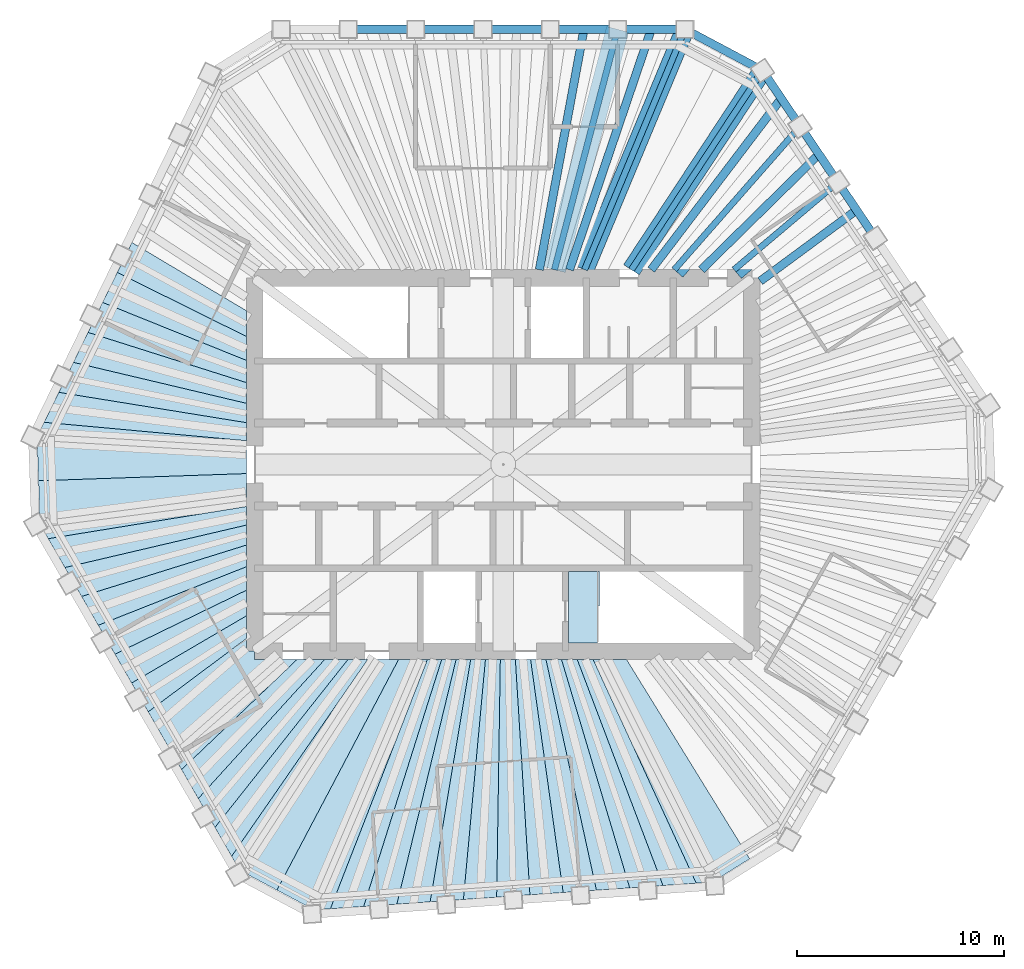
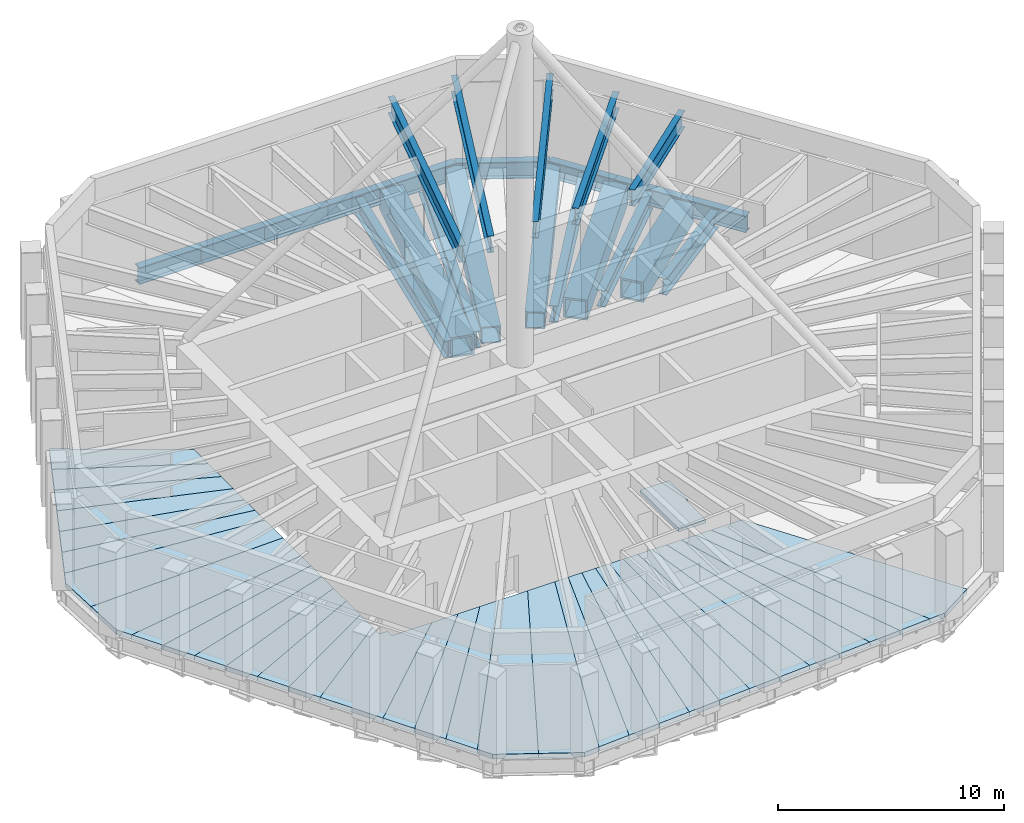
# One storey, part 3 of 9: 33 slabs, 24 beams.
"""IFC4 building model written with IfcOpenShell, lengths in metres."""

from ifc_helpers import new_model, si_unit, direction, frame, origin, origin_2d, place, context, subcontext, project, spatial, polyline, hollow_rectangle, i_section, outline, extrude, material, layer, layer_set, material_profile, profile_set, type_object, element, save


model = new_model("IFC4")

# Units and contexts
model_context = context("Model", 3, precision=1e-05, world=origin(), true_north=direction((0.0, 1.0)))
body_context = subcontext(model_context, "Body", "Model", "MODEL_VIEW")
ifc_project = project(units=[si_unit("LENGTHUNIT", "METRE"), si_unit("AREAUNIT", "SQUARE_METRE"), si_unit("VOLUMEUNIT", "CUBIC_METRE"), si_unit("PLANEANGLEUNIT", "RADIAN"), si_unit("MASSUNIT", "GRAM", prefix="KILO")], contexts=[model_context])

# Site, building, storey
site_placement = place(None, origin())
site = spatial("IfcSite", under=ifc_project, at=site_placement, CompositionType="ELEMENT")
building_placement = place(site_placement, origin())
building = spatial("IfcBuilding", under=site, at=building_placement, Name="Qingtian Harvest Tower", CompositionType="ELEMENT")
storey_placement = place(building_placement, frame((0.0, 0.0, 343.60009765625)))
storey = spatial("IfcBuildingStorey", under=building, at=storey_placement, Name="L76", CompositionType="ELEMENT", Elevation=343.60009765625)

# Beams
ifc_material_1 = material(Name="Steel SN490B", Category="steel")
ifc_material_profile_1 = material_profile(ifc_material_1, i_section(OverallWidth=0.39990234375, OverallDepth=0.89990234375, WebThickness=0.01904296875, FlangeThickness=0.035888671875, at=origin_2d()), Name="H900x400x19x36")
ifc_profile_set_1 = profile_set([ifc_material_profile_1], Name="Steel SN490B")
beam_type_1 = type_object("IfcBeamType", Name="Floor joist J4 H900x400x19x36", PredefinedType="JOIST", material=ifc_profile_set_1)
beam_1_placement = place(storey_placement, frame((3.893798828125, 21.0, -0.7001953125), z_axis=(-0.182311561934, -0.983240812001, 0.0), x_axis=(0.983240812001, -0.182311561934, 0.0)))
element("IfcBeam", 1, at=beam_1_placement, inside=storey, type_object=beam_type_1, Name="Floor joist J4 N4", PredefinedType="JOIST", context=body_context, shape_type="SweptSolid", body=[
    extrude(i_section(OverallWidth=0.39990234375, OverallDepth=0.89990234375, WebThickness=0.01904296875, FlangeThickness=0.035888671875, at=origin_2d()), origin(), (0.0, 0.0, 1.0), 11.7978515625),
])
beam_2_placement = place(storey_placement, frame((7.141845703125, 21.0, -0.7001953125), z_axis=(-0.321978462512, -0.946746993488, 0.0), x_axis=(0.946746993488, -0.321978462512, 0.0)))
element("IfcBeam", 2, at=beam_2_placement, inside=storey, type_object=beam_type_1, Name="Floor joist J4 N5", PredefinedType="JOIST", context=body_context, shape_type="SweptSolid", body=[
    extrude(i_section(OverallWidth=0.39990234375, OverallDepth=0.89990234375, WebThickness=0.01904296875, FlangeThickness=0.035888671875, at=origin_2d()), origin(), (0.0, 0.0, 1.0), 12.252685546875),
])
beam_3_placement = place(storey_placement, frame((13.416015625, 17.6640625, -0.7001953125), z_axis=(-0.604829724016, -0.796354823522, 0.0), x_axis=(0.796354823522, -0.604829724016, 0.0)))
element("IfcBeam", 3, at=beam_3_placement, inside=storey, type_object=beam_type_1, Name="Floor joist J4 NE0", PredefinedType="JOIST", context=body_context, shape_type="SweptSolid", body=[
    extrude(i_section(OverallWidth=0.39990234375, OverallDepth=0.89990234375, WebThickness=0.01904296875, FlangeThickness=0.035888671875, at=origin_2d()), origin(), (0.0, 0.0, 1.0), 10.37744140625),
])
beam_4_placement = place(storey_placement, frame((15.232421875, 14.97119140625, -0.7001953125), z_axis=(-0.713193091885, -0.700967626704, 0.0), x_axis=(0.700967626704, -0.713193091885, 0.0)))
element("IfcBeam", 4, at=beam_4_placement, inside=storey, type_object=beam_type_1, Name="Floor joist J4 NE1", PredefinedType="JOIST", context=body_context, shape_type="SweptSolid", body=[
    extrude(i_section(OverallWidth=0.39990234375, OverallDepth=0.89990234375, WebThickness=0.01904296875, FlangeThickness=0.035888671875, at=origin_2d()), origin(), (0.0, 0.0, 1.0), 7.947998046875),
])
beam_5_placement = place(storey_placement, frame((17.048583984375, 12.278564453125, -0.7001953125), z_axis=(-0.804797608796, -0.59354933146, 0.0), x_axis=(0.59354933146, -0.804797608796, 0.0)))
element("IfcBeam", 5, at=beam_5_placement, inside=storey, type_object=beam_type_1, Name="Floor joist J4 NE2", PredefinedType="JOIST", context=body_context, shape_type="SweptSolid", body=[
    extrude(i_section(OverallWidth=0.39990234375, OverallDepth=0.89990234375, WebThickness=0.01904296875, FlangeThickness=0.035888671875, at=origin_2d()), origin(), (0.0, 0.0, 1.0), 5.776123046875),
])
ifc_material_2 = material(Name="Steel SM570MC", Category="steel")
ifc_material_profile_2 = material_profile(ifc_material_2, hollow_rectangle(XDim=0.89990234375, YDim=0.89990234375, WallThickness=0.06005859375, at=origin_2d()), Name="BOX900x900x60")
ifc_profile_set_2 = profile_set([ifc_material_profile_2], Name="Steel SM570MC")
beam_type_2 = type_object("IfcBeamType", Name="Outrigger chord beam OC1 BOX900x900x60", PredefinedType="BEAM", material=ifc_profile_set_2)
beam_6_placement = place(storey_placement, frame((8.765869140625, 21.0, -0.7001953125), z_axis=(-0.385202803059, -0.922831945977, 0.0), x_axis=(0.922831945977, -0.385202803059, 0.0)))
element("IfcBeam", 6, at=beam_6_placement, inside=storey, type_object=beam_type_2, Name="Floor beam OC1 N6", PredefinedType="BEAM", context=body_context, shape_type="SweptSolid", body=[
    extrude(hollow_rectangle(XDim=0.89990234375, YDim=0.89990234375, WallThickness=0.06005859375, at=origin_2d()), origin(), (0.0, 0.0, 1.0), 12.570068359375),
])
beam_7_placement = place(storey_placement, frame((12.508056640625, 19.01025390625, -0.7001953125), z_axis=(-0.549655478371, -0.835391438247, 0.0), x_axis=(0.835391438247, -0.549655478371, 0.0)))
element("IfcBeam", 7, at=beam_7_placement, inside=storey, type_object=beam_type_2, Name="Floor beam OC1 NE0", PredefinedType="BEAM", context=body_context, shape_type="SweptSolid", body=[
    extrude(hollow_rectangle(XDim=0.89990234375, YDim=0.89990234375, WallThickness=0.06005859375, at=origin_2d()), origin(), (0.0, 0.0, 1.0), 11.50390625),
])
ifc_material_3 = material(Name="Steel SN490B", Category="steel")
ifc_material_profile_3 = material_profile(ifc_material_3, i_section(OverallWidth=0.300048828125, OverallDepth=0.89990234375, WebThickness=0.01611328125, FlangeThickness=0.028076171875, at=origin_2d()), Name="H900x300x16x28")
ifc_profile_set_3 = profile_set([ifc_material_profile_3], Name="Steel SN490B")
beam_type_3 = type_object("IfcBeamType", Name="Roof beam RB1 H900x300x16x28", PredefinedType="BEAM", material=ifc_profile_set_3)
beam_8_placement = place(storey_placement, frame((5.517822265625, 21.0, 4.199951171875), z_axis=(-0.254118548412, -0.967173078282, 0.0), x_axis=(0.967173078282, -0.254118548412, 0.0)))
element("IfcBeam", 8, at=beam_8_placement, inside=storey, type_object=beam_type_3, Name="Roof beam RB1 N5", PredefinedType="BEAM", context=body_context, shape_type="SweptSolid", body=[
    extrude(i_section(OverallWidth=0.300048828125, OverallDepth=0.89990234375, WebThickness=0.01611328125, FlangeThickness=0.028076171875, at=origin_2d()), origin(), (0.0, 0.0, 1.0), 11.993896484375),
])
beam_9_placement = place(storey_placement, frame((8.765869140625, 21.0, 4.199951171875), z_axis=(-0.385202803059, -0.922831945977, 0.0), x_axis=(0.922831945977, -0.385202803059, 0.0)))
element("IfcBeam", 9, at=beam_9_placement, inside=storey, type_object=beam_type_3, Name="Roof beam RB1 N6", PredefinedType="BEAM", context=body_context, shape_type="SweptSolid", body=[
    extrude(i_section(OverallWidth=0.300048828125, OverallDepth=0.89990234375, WebThickness=0.01611328125, FlangeThickness=0.028076171875, at=origin_2d()), origin(), (0.0, 0.0, 1.0), 12.570068359375),
])
beam_10_placement = place(storey_placement, frame((12.508056640625, 19.01025390625, 4.199951171875), z_axis=(-0.549655478371, -0.835391438247, 0.0), x_axis=(0.835391438247, -0.549655478371, 0.0)))
element("IfcBeam", 10, at=beam_10_placement, inside=storey, type_object=beam_type_3, Name="Roof beam RB1 NE0", PredefinedType="BEAM", context=body_context, shape_type="SweptSolid", body=[
    extrude(i_section(OverallWidth=0.300048828125, OverallDepth=0.89990234375, WebThickness=0.01611328125, FlangeThickness=0.028076171875, at=origin_2d()), origin(), (0.0, 0.0, 1.0), 11.50390625),
])
beam_11_placement = place(storey_placement, frame((14.32421875, 16.317626953125, 4.199951171875), z_axis=(-0.659703637934, -0.751525854576, 0.0), x_axis=(0.751525854576, -0.659703637934, 0.0)))
element("IfcBeam", 11, at=beam_11_placement, inside=storey, type_object=beam_type_3, Name="Roof beam RB1 NE1", PredefinedType="BEAM", context=body_context, shape_type="SweptSolid", body=[
    extrude(i_section(OverallWidth=0.300048828125, OverallDepth=0.89990234375, WebThickness=0.01611328125, FlangeThickness=0.028076171875, at=origin_2d()), origin(), (0.0, 0.0, 1.0), 9.204833984375),
])
beam_12_placement = place(storey_placement, frame((16.140625, 13.624755859375, 4.199951171875), z_axis=(-0.764157701072, -0.645029462809, 0.0), x_axis=(0.645029462809, -0.764157701072, 0.0)))
element("IfcBeam", 12, at=beam_12_placement, inside=storey, type_object=beam_type_3, Name="Roof beam RB1 NE2", PredefinedType="BEAM", context=body_context, shape_type="SweptSolid", body=[
    extrude(i_section(OverallWidth=0.300048828125, OverallDepth=0.89990234375, WebThickness=0.01611328125, FlangeThickness=0.028076171875, at=origin_2d()), origin(), (0.0, 0.0, 1.0), 6.5498046875),
])
ifc_material_4 = material(Name="Steel SN490B", Category="steel")
ifc_material_profile_4 = material_profile(ifc_material_4, i_section(OverallWidth=0.39990234375, OverallDepth=0.89990234375, WebThickness=0.01904296875, FlangeThickness=0.035888671875, at=origin_2d()), Name="H900x400x19x36")
ifc_profile_set_4 = profile_set([ifc_material_profile_4], Name="Steel SN490B")
beam_type_4 = type_object("IfcBeamType", Name="Spandrel beam SB4 H900x400x19x36", PredefinedType="SPANDREL", material=ifc_profile_set_4)
beam_13_placement = place(storey_placement, frame((-7.47412109375, 21.0, -0.4501953125), z_axis=(1.0, 0.0, 0.0), x_axis=(0.0, 1.0, 0.0)))
element("IfcBeam", 13, at=beam_13_placement, inside=storey, type_object=beam_type_4, Name="Spandrel SB4 N1", PredefinedType="SPANDREL", context=body_context, shape_type="SweptSolid", body=[
    extrude(i_section(OverallWidth=0.39990234375, OverallDepth=0.89990234375, WebThickness=0.01904296875, FlangeThickness=0.035888671875, at=origin_2d()), origin(), (0.0, 0.0, 1.0), 3.247802734375),
])
for number, where, z_axis, x_axis, name in (
    (14, (-4.226318359375, 21.0, -0.4501953125), (1.0, 0.0, 0.0), (0.0, 1.0, 0.0), "Spandrel SB4 N2"),
    (15, (-0.978271484375, 21.0, -0.4501953125), (1.0, 0.0, 0.0), (0.0, 1.0, 0.0), "Spandrel SB4 N3"),
    (16, (2.269775390625, 21.0, -0.4501953125), (1.0, 0.0, 0.0), (0.0, 1.0, 0.0), "Spandrel SB4 N4"),
    (17, (5.517822265625, 21.0, -0.4501953125), (1.0, 0.0, 0.0), (0.0, 1.0, 0.0), "Spandrel SB4 N5"),
):
    element("IfcBeam", number, at=place(storey_placement, frame(where, z_axis=z_axis, x_axis=x_axis)), inside=storey, type_object=beam_type_4, Name=name, PredefinedType="SPANDREL", context=body_context, shape_type="SweptSolid", body=[
        extrude(i_section(OverallWidth=0.39990234375, OverallDepth=0.89990234375, WebThickness=0.01904296875, FlangeThickness=0.035888671875, at=origin_2d()), origin(), (0.0, 0.0, 1.0), 3.248046875),
    ])
beam_14_placement = place(storey_placement, frame((8.765869140625, 21.0, -0.4501953125), z_axis=(0.882948599748, -0.469469669099, 0.0), x_axis=(0.469469669099, 0.882948599748, 0.0)))
element("IfcBeam", 18, at=beam_14_placement, inside=storey, type_object=beam_type_4, Name="Spandrel SB4 NC", PredefinedType="SPANDREL", context=body_context, shape_type="SweptSolid", body=[
    extrude(i_section(OverallWidth=0.39990234375, OverallDepth=0.89990234375, WebThickness=0.01904296875, FlangeThickness=0.035888671875, at=origin_2d()), origin(), (0.0, 0.0, 1.0), 4.23828125),
])
beam_15_placement = place(storey_placement, frame((12.508056640625, 19.01025390625, -0.4501953125), z_axis=(0.559184924833, -0.829042954158, 0.0), x_axis=(0.829042954158, 0.559184924833, 0.0)))
element("IfcBeam", 19, at=beam_15_placement, inside=storey, type_object=beam_type_4, Name="Spandrel SB4 NE0", PredefinedType="SPANDREL", context=body_context, shape_type="SweptSolid", body=[
    extrude(i_section(OverallWidth=0.39990234375, OverallDepth=0.89990234375, WebThickness=0.01904296875, FlangeThickness=0.035888671875, at=origin_2d()), origin(), (0.0, 0.0, 1.0), 3.247802734375),
])
beam_16_placement = place(storey_placement, frame((14.32421875, 16.317626953125, -0.4501953125), z_axis=(0.559201740147, -0.829031612073, 0.0), x_axis=(0.829031612073, 0.559201740147, 0.0)))
element("IfcBeam", 20, at=beam_16_placement, inside=storey, type_object=beam_type_4, Name="Spandrel SB4 NE1", PredefinedType="SPANDREL", context=body_context, shape_type="SweptSolid", body=[
    extrude(i_section(OverallWidth=0.39990234375, OverallDepth=0.89990234375, WebThickness=0.01904296875, FlangeThickness=0.035888671875, at=origin_2d()), origin(), (0.0, 0.0, 1.0), 3.248291015625),
])
beam_17_placement = place(storey_placement, frame((16.140625, 13.624755859375, -0.4501953125), z_axis=(0.559184924833, -0.829042954158, 0.0), x_axis=(0.829042954158, 0.559184924833, 0.0)))
element("IfcBeam", 21, at=beam_17_placement, inside=storey, type_object=beam_type_4, Name="Spandrel SB4 NE2", PredefinedType="SPANDREL", context=body_context, shape_type="SweptSolid", body=[
    extrude(i_section(OverallWidth=0.39990234375, OverallDepth=0.89990234375, WebThickness=0.01904296875, FlangeThickness=0.035888671875, at=origin_2d()), origin(), (0.0, 0.0, 1.0), 3.247802734375),
])
ifc_material_5 = material(Name="Steel SM570MC", Category="steel")
ifc_material_profile_5 = material_profile(ifc_material_5, hollow_rectangle(XDim=1.10009765625, YDim=1.10009765625, WallThickness=0.10009765625, at=origin_2d()), Name="BOX1100x1100x100")
ifc_profile_set_5 = profile_set([ifc_material_profile_5], Name="Steel SM570MC")
beam_type_5 = type_object("IfcBeamType", Name="Transfer floor beam FB9 BOX1100x1100x100", PredefinedType="BEAM", material=ifc_profile_set_5)
beam_18_placement = place(storey_placement, frame((5.517822265625, 21.0, -0.800048828125), z_axis=(-0.254118548412, -0.967173078282, 0.0), x_axis=(0.967173078282, -0.254118548412, 0.0)))
element("IfcBeam", 22, at=beam_18_placement, inside=storey, type_object=beam_type_5, Name="Floor beam FB9 N5", PredefinedType="BEAM", context=body_context, shape_type="SweptSolid", body=[
    extrude(hollow_rectangle(XDim=1.10009765625, YDim=1.10009765625, WallThickness=0.10009765625, at=origin_2d()), origin(), (0.0, 0.0, 1.0), 11.993896484375),
])
beam_19_placement = place(storey_placement, frame((14.32421875, 16.317626953125, -0.800048828125), z_axis=(-0.659703637934, -0.751525854576, 0.0), x_axis=(0.751525854576, -0.659703637934, 0.0)))
element("IfcBeam", 23, at=beam_19_placement, inside=storey, type_object=beam_type_5, Name="Floor beam FB9 NE1", PredefinedType="BEAM", context=body_context, shape_type="SweptSolid", body=[
    extrude(hollow_rectangle(XDim=1.10009765625, YDim=1.10009765625, WallThickness=0.10009765625, at=origin_2d()), origin(), (0.0, 0.0, 1.0), 9.204833984375),
])
beam_20_placement = place(storey_placement, frame((16.140625, 13.624755859375, -0.800048828125), z_axis=(-0.764157701072, -0.645029462809, 0.0), x_axis=(0.645029462809, -0.764157701072, 0.0)))
element("IfcBeam", 24, at=beam_20_placement, inside=storey, type_object=beam_type_5, Name="Floor beam FB9 NE2", PredefinedType="BEAM", context=body_context, shape_type="SweptSolid", body=[
    extrude(hollow_rectangle(XDim=1.10009765625, YDim=1.10009765625, WallThickness=0.10009765625, at=origin_2d()), origin(), (0.0, 0.0, 1.0), 6.5498046875),
])

# Slabs
ifc_material_6 = material(Name="Concrete fc' 35 MPa", Category="concrete")
ifc_layer_1 = layer(ifc_material_6, 0.25)
ifc_layer_set_1 = layer_set([ifc_layer_1], Name="Composite floor slab FS25 250")
slab_type_1 = type_object("IfcSlabType", Name="Composite floor slab FS25 250", PredefinedType="FLOOR", material=ifc_layer_set_1)
slab_1_placement = place(storey_placement, frame((0.0, 0.0, -0.25)))
element("IfcSlab", 25, at=slab_1_placement, inside=storey, type_object=slab_type_1, Name="Floor slab L76 panel D01", PredefinedType="FLOOR", context=body_context, shape_type="SweptSolid", body=[
    extrude(outline(polyline([(-22.422607421875, -0.783203125), (-12.39990234375, -0.436767578125), (-12.39990234375, -2.028564453125), (-21.95751953125, -3.578369140625), (-22.348876953125, -2.90087890625), (-22.422607421875, -0.783203125)])), origin(), (0.0, 0.0, 1.0), 0.25),
])
slab_2_placement = place(storey_placement, frame((0.0, 0.0, -0.25)))
element("IfcSlab", 26, at=slab_2_placement, inside=storey, type_object=slab_type_1, Name="Floor slab L76 panel D02", PredefinedType="FLOOR", context=body_context, shape_type="SweptSolid", body=[
    extrude(outline(polyline([(-12.39990234375, -2.923095703125), (-21.153076171875, -4.9716796875), (-21.95751953125, -3.578369140625), (-12.39990234375, -2.028564453125), (-12.39990234375, -2.923095703125)])), origin(), (0.0, 0.0, 1.0), 0.25),
])
slab_3_placement = place(storey_placement, frame((0.0, 0.0, -0.25)))
element("IfcSlab", 27, at=slab_3_placement, inside=storey, type_object=slab_type_1, Name="Floor slab L76 panel D03", PredefinedType="FLOOR", context=body_context, shape_type="SweptSolid", body=[
    extrude(outline(polyline([(-12.39990234375, -3.888427734375), (-20.3486328125, -6.365234375), (-21.153076171875, -4.9716796875), (-12.39990234375, -2.923095703125), (-12.39990234375, -3.888427734375)])), origin(), (0.0, 0.0, 1.0), 0.25),
])
slab_4_placement = place(storey_placement, frame((0.0, 0.0, -0.25)))
element("IfcSlab", 28, at=slab_4_placement, inside=storey, type_object=slab_type_1, Name="Floor slab L76 panel D04", PredefinedType="FLOOR", context=body_context, shape_type="SweptSolid", body=[
    extrude(outline(polyline([(-12.39990234375, -4.93359375), (-19.544189453125, -7.758544921875), (-20.3486328125, -6.365234375), (-12.39990234375, -3.888427734375), (-12.39990234375, -4.93359375)])), origin(), (0.0, 0.0, 1.0), 0.25),
])
slab_5_placement = place(storey_placement, frame((0.0, 0.0, -0.25)))
element("IfcSlab", 29, at=slab_5_placement, inside=storey, type_object=slab_type_1, Name="Floor slab L76 panel D05", PredefinedType="FLOOR", context=body_context, shape_type="SweptSolid", body=[
    extrude(outline(polyline([(-12.39990234375, -6.068359375), (-18.73974609375, -9.15185546875), (-19.544189453125, -7.758544921875), (-12.39990234375, -4.93359375), (-12.39990234375, -6.068359375)])), origin(), (0.0, 0.0, 1.0), 0.25),
])
slab_6_placement = place(storey_placement, frame((0.0, 0.0, -0.25)))
element("IfcSlab", 30, at=slab_6_placement, inside=storey, type_object=slab_type_1, Name="Floor slab L76 panel D06", PredefinedType="FLOOR", context=body_context, shape_type="SweptSolid", body=[
    extrude(outline(polyline([(-12.39990234375, -7.304931640625), (-17.93505859375, -10.54541015625), (-18.73974609375, -9.15185546875), (-12.39990234375, -6.068359375), (-12.39990234375, -7.304931640625)])), origin(), (0.0, 0.0, 1.0), 0.25),
])
slab_7_placement = place(storey_placement, frame((0.0, 0.0, -0.25)))
element("IfcSlab", 31, at=slab_7_placement, inside=storey, type_object=slab_type_1, Name="Floor slab L76 panel D07", PredefinedType="FLOOR", context=body_context, shape_type="SweptSolid", body=[
    extrude(outline(polyline([(-12.39990234375, -8.400390625), (-17.134033203125, -11.932861328125), (-17.93505859375, -10.54541015625), (-12.39990234375, -7.304931640625), (-12.39990234375, -8.400390625)])), origin(), (0.0, 0.0, 1.0), 0.25),
])
slab_8_placement = place(storey_placement, frame((0.0, 0.0, -0.25)))
element("IfcSlab", 32, at=slab_8_placement, inside=storey, type_object=slab_type_1, Name="Floor slab L76 panel D09", PredefinedType="FLOOR", context=body_context, shape_type="SweptSolid", body=[
    extrude(outline(polyline([(-15.522216796875, -14.724609375), (-17.134033203125, -11.932861328125), (-12.39990234375, -8.400390625), (-12.39990234375, -9.0), (-12.0, -9.0), (-12.0, -9.39990234375), (-9.943115234375, -9.39990234375), (-15.522216796875, -14.724609375)])), origin(), (0.0, 0.0, 1.0), 0.25),
])
slab_9_placement = place(storey_placement, frame((0.0, 0.0, -0.25)))
element("IfcSlab", 33, at=slab_9_placement, inside=storey, type_object=slab_type_1, Name="Floor slab L76 panel D10", PredefinedType="FLOOR", context=body_context, shape_type="SweptSolid", body=[
    extrude(outline(polyline([(-8.609130859375, -9.39990234375), (-14.7177734375, -16.1181640625), (-15.522216796875, -14.724609375), (-9.943115234375, -9.39990234375), (-8.609130859375, -9.39990234375)])), origin(), (0.0, 0.0, 1.0), 0.25),
])
slab_10_placement = place(storey_placement, frame((0.0, 0.0, -0.25)))
element("IfcSlab", 34, at=slab_10_placement, inside=storey, type_object=slab_type_1, Name="Floor slab L76 panel D11", PredefinedType="FLOOR", context=body_context, shape_type="SweptSolid", body=[
    extrude(outline(polyline([(-7.488525390625, -9.39990234375), (-13.9130859375, -17.51171875), (-14.7177734375, -16.1181640625), (-8.609130859375, -9.39990234375), (-7.488525390625, -9.39990234375)])), origin(), (0.0, 0.0, 1.0), 0.25),
])
slab_11_placement = place(storey_placement, frame((0.0, 0.0, -0.25)))
element("IfcSlab", 35, at=slab_11_placement, inside=storey, type_object=slab_type_1, Name="Floor slab L76 panel D12", PredefinedType="FLOOR", context=body_context, shape_type="SweptSolid", body=[
    extrude(outline(polyline([(-6.533935546875, -9.39990234375), (-13.108642578125, -18.905029296875), (-13.9130859375, -17.51171875), (-7.488525390625, -9.39990234375), (-6.533935546875, -9.39990234375)])), origin(), (0.0, 0.0, 1.0), 0.25),
])
slab_12_placement = place(storey_placement, frame((0.0, 0.0, -0.25)))
element("IfcSlab", 36, at=slab_12_placement, inside=storey, type_object=slab_type_1, Name="Floor slab L76 panel D13", PredefinedType="FLOOR", context=body_context, shape_type="SweptSolid", body=[
    extrude(outline(polyline([(-6.533935546875, -9.39990234375), (-5.04638671875, -9.39990234375), (-10.921142578125, -20.537841796875), (-12.717529296875, -19.582763671875), (-13.108642578125, -18.905029296875), (-6.533935546875, -9.39990234375)])), origin(), (0.0, 0.0, 1.0), 0.25),
])
slab_13_placement = place(storey_placement, frame((0.0, 0.0, -0.25)))
element("IfcSlab", 37, at=slab_13_placement, inside=storey, type_object=slab_type_1, Name="Floor slab L76 panel D14", PredefinedType="FLOOR", context=body_context, shape_type="SweptSolid", body=[
    extrude(outline(polyline([(-5.04638671875, -9.39990234375), (-3.656982421875, -9.39990234375), (-8.343017578125, -21.439208984375), (-9.123291015625, -21.49365234375), (-10.921142578125, -20.537841796875), (-5.04638671875, -9.39990234375)])), origin(), (0.0, 0.0, 1.0), 0.25),
])
slab_14_placement = place(storey_placement, frame((0.0, 0.0, -0.25)))
element("IfcSlab", 38, at=slab_14_placement, inside=storey, type_object=slab_type_1, Name="Floor slab L76 panel D15", PredefinedType="FLOOR", context=body_context, shape_type="SweptSolid", body=[
    extrude(outline(polyline([(-2.968994140625, -9.39990234375), (-6.738037109375, -21.326904296875), (-8.343017578125, -21.439208984375), (-3.656982421875, -9.39990234375), (-2.968994140625, -9.39990234375)])), origin(), (0.0, 0.0, 1.0), 0.25),
])
slab_15_placement = place(storey_placement, frame((0.0, 0.0, -0.25)))
element("IfcSlab", 39, at=slab_15_placement, inside=storey, type_object=slab_type_1, Name="Floor slab L76 panel D16", PredefinedType="FLOOR", context=body_context, shape_type="SweptSolid", body=[
    extrude(outline(polyline([(-2.2734375, -9.39990234375), (-5.133056640625, -21.21484375), (-6.738037109375, -21.326904296875), (-2.968994140625, -9.39990234375), (-2.2734375, -9.39990234375)])), origin(), (0.0, 0.0, 1.0), 0.25),
])
slab_16_placement = place(storey_placement, frame((0.0, 0.0, -0.25)))
element("IfcSlab", 40, at=slab_16_placement, inside=storey, type_object=slab_type_1, Name="Floor slab L76 panel D17", PredefinedType="FLOOR", context=body_context, shape_type="SweptSolid", body=[
    extrude(outline(polyline([(-1.570556640625, -9.39990234375), (-3.528076171875, -21.1025390625), (-5.133056640625, -21.21484375), (-2.2734375, -9.39990234375), (-1.570556640625, -9.39990234375)])), origin(), (0.0, 0.0, 1.0), 0.25),
])
slab_17_placement = place(storey_placement, frame((0.0, 0.0, -0.25)))
element("IfcSlab", 41, at=slab_17_placement, inside=storey, type_object=slab_type_1, Name="Floor slab L76 panel D18", PredefinedType="FLOOR", context=body_context, shape_type="SweptSolid", body=[
    extrude(outline(polyline([(-0.860107421875, -9.39990234375), (-1.9228515625, -20.990234375), (-3.528076171875, -21.1025390625), (-1.570556640625, -9.39990234375), (-0.860107421875, -9.39990234375)])), origin(), (0.0, 0.0, 1.0), 0.25),
])
slab_18_placement = place(storey_placement, frame((0.0, 0.0, -0.25)))
element("IfcSlab", 42, at=slab_18_placement, inside=storey, type_object=slab_type_1, Name="Floor slab L76 panel D19", PredefinedType="FLOOR", context=body_context, shape_type="SweptSolid", body=[
    extrude(outline(polyline([(-0.14208984375, -9.39990234375), (-0.31787109375, -20.8779296875), (-1.9228515625, -20.990234375), (-0.860107421875, -9.39990234375), (-0.14208984375, -9.39990234375)])), origin(), (0.0, 0.0, 1.0), 0.25),
])
slab_19_placement = place(storey_placement, frame((0.0, 0.0, -0.25)))
element("IfcSlab", 43, at=slab_19_placement, inside=storey, type_object=slab_type_1, Name="Floor slab L76 panel D20", PredefinedType="FLOOR", context=body_context, shape_type="SweptSolid", body=[
    extrude(outline(polyline([(0.58349609375, -9.39990234375), (1.287109375, -20.765869140625), (-0.31787109375, -20.8779296875), (-0.14208984375, -9.39990234375), (0.58349609375, -9.39990234375)])), origin(), (0.0, 0.0, 1.0), 0.25),
])
slab_20_placement = place(storey_placement, frame((0.0, 0.0, -0.25)))
element("IfcSlab", 44, at=slab_20_placement, inside=storey, type_object=slab_type_1, Name="Floor slab L76 panel D21", PredefinedType="FLOOR", context=body_context, shape_type="SweptSolid", body=[
    extrude(outline(polyline([(1.3173828125, -9.39990234375), (2.89208984375, -20.653564453125), (1.287109375, -20.765869140625), (0.58349609375, -9.39990234375), (1.3173828125, -9.39990234375)])), origin(), (0.0, 0.0, 1.0), 0.25),
])
slab_21_placement = place(storey_placement, frame((0.0, 0.0, -0.25)))
element("IfcSlab", 45, at=slab_21_placement, inside=storey, type_object=slab_type_1, Name="Floor slab L76 panel D22", PredefinedType="FLOOR", context=body_context, shape_type="SweptSolid", body=[
    extrude(outline(polyline([(2.058837890625, -9.39990234375), (4.4970703125, -20.541259765625), (2.89208984375, -20.653564453125), (1.3173828125, -9.39990234375), (2.058837890625, -9.39990234375)])), origin(), (0.0, 0.0, 1.0), 0.25),
])
slab_22_placement = place(storey_placement, frame((0.0, 0.0, -0.25)))
element("IfcSlab", 46, at=slab_22_placement, inside=storey, type_object=slab_type_1, Name="Floor slab L76 panel D23", PredefinedType="FLOOR", context=body_context, shape_type="SweptSolid", body=[
    extrude(outline(polyline([(2.808837890625, -9.39990234375), (6.10205078125, -20.42919921875), (4.4970703125, -20.541259765625), (2.058837890625, -9.39990234375), (2.808837890625, -9.39990234375)])), origin(), (0.0, 0.0, 1.0), 0.25),
])
slab_23_placement = place(storey_placement, frame((0.0, 0.0, -0.25)))
element("IfcSlab", 47, at=slab_23_placement, inside=storey, type_object=slab_type_1, Name="Floor slab L76 panel D24", PredefinedType="FLOOR", context=body_context, shape_type="SweptSolid", body=[
    extrude(outline(polyline([(3.56689453125, -9.39990234375), (7.70703125, -20.31689453125), (6.10205078125, -20.42919921875), (2.808837890625, -9.39990234375), (3.56689453125, -9.39990234375)])), origin(), (0.0, 0.0, 1.0), 0.25),
])
slab_24_placement = place(storey_placement, frame((0.0, 0.0, -0.25)))
element("IfcSlab", 48, at=slab_24_placement, inside=storey, type_object=slab_type_1, Name="Floor slab L76 panel D25", PredefinedType="FLOOR", context=body_context, shape_type="SweptSolid", body=[
    extrude(outline(polyline([(4.33349609375, -9.39990234375), (9.312255859375, -20.20458984375), (7.70703125, -20.31689453125), (3.56689453125, -9.39990234375), (4.33349609375, -9.39990234375)])), origin(), (0.0, 0.0, 1.0), 0.25),
])
slab_25_placement = place(storey_placement, frame((0.0, 0.0, -0.25)))
element("IfcSlab", 49, at=slab_25_placement, inside=storey, type_object=slab_type_1, Name="Floor slab L76 panel D26", PredefinedType="FLOOR", context=body_context, shape_type="SweptSolid", body=[
    extrude(outline(polyline([(4.33349609375, -9.39990234375), (5.945556640625, -9.39990234375), (11.890380859375, -19.026611328125), (10.09228515625, -20.150146484375), (9.312255859375, -20.20458984375), (4.33349609375, -9.39990234375)])), origin(), (0.0, 0.0, 1.0), 0.25),
])
slab_26_placement = place(storey_placement, frame((0.0, 0.0, -0.25)))
element("IfcSlab", 50, at=slab_26_placement, inside=storey, type_object=slab_type_1, Name="Floor slab L76 panel D72", PredefinedType="FLOOR", context=body_context, shape_type="SweptSolid", body=[
    extrude(outline(polyline([(-12.39990234375, 6.18115234375), (-18.627197265625, 9.2685546875), (-17.921875, 10.714599609375), (-12.39990234375, 7.42578125), (-12.39990234375, 6.18115234375)])), origin(), (0.0, 0.0, 1.0), 0.25),
])
slab_27_placement = place(storey_placement, frame((0.0, 0.0, -0.25)))
element("IfcSlab", 51, at=slab_27_placement, inside=storey, type_object=slab_type_1, Name="Floor slab L76 panel D73", PredefinedType="FLOOR", context=body_context, shape_type="SweptSolid", body=[
    extrude(outline(polyline([(-12.39990234375, 5.02734375), (-19.33251953125, 7.822509765625), (-18.627197265625, 9.2685546875), (-12.39990234375, 6.18115234375), (-12.39990234375, 5.02734375)])), origin(), (0.0, 0.0, 1.0), 0.25),
])
slab_28_placement = place(storey_placement, frame((0.0, 0.0, -0.25)))
element("IfcSlab", 52, at=slab_28_placement, inside=storey, type_object=slab_type_1, Name="Floor slab L76 panel D74", PredefinedType="FLOOR", context=body_context, shape_type="SweptSolid", body=[
    extrude(outline(polyline([(-12.39990234375, 3.954833984375), (-20.037841796875, 6.376220703125), (-19.33251953125, 7.822509765625), (-12.39990234375, 5.02734375), (-12.39990234375, 3.954833984375)])), origin(), (0.0, 0.0, 1.0), 0.25),
])
slab_29_placement = place(storey_placement, frame((0.0, 0.0, -0.25)))
element("IfcSlab", 53, at=slab_29_placement, inside=storey, type_object=slab_type_1, Name="Floor slab L76 panel D75", PredefinedType="FLOOR", context=body_context, shape_type="SweptSolid", body=[
    extrude(outline(polyline([(-12.39990234375, 2.955322265625), (-20.7431640625, 4.93017578125), (-20.037841796875, 6.376220703125), (-12.39990234375, 3.954833984375), (-12.39990234375, 2.955322265625)])), origin(), (0.0, 0.0, 1.0), 0.25),
])
slab_30_placement = place(storey_placement, frame((0.0, 0.0, -0.25)))
element("IfcSlab", 54, at=slab_30_placement, inside=storey, type_object=slab_type_1, Name="Floor slab L76 panel D76", PredefinedType="FLOOR", context=body_context, shape_type="SweptSolid", body=[
    extrude(outline(polyline([(-12.39990234375, 2.021484375), (-21.448486328125, 3.484130859375), (-20.7431640625, 4.93017578125), (-12.39990234375, 2.955322265625), (-12.39990234375, 2.021484375)])), origin(), (0.0, 0.0, 1.0), 0.25),
])
slab_31_placement = place(storey_placement, frame((0.0, 0.0, -0.25)))
element("IfcSlab", 55, at=slab_31_placement, inside=storey, type_object=slab_type_1, Name="Floor slab L76 panel D77", PredefinedType="FLOOR", context=body_context, shape_type="SweptSolid", body=[
    extrude(outline(polyline([(-12.39990234375, 1.147216796875), (-22.15380859375, 2.037841796875), (-21.448486328125, 3.484130859375), (-12.39990234375, 2.021484375), (-12.39990234375, 1.147216796875)])), origin(), (0.0, 0.0, 1.0), 0.25),
])
slab_32_placement = place(storey_placement, frame((0.0, 0.0, -0.25)))
element("IfcSlab", 56, at=slab_32_placement, inside=storey, type_object=slab_type_1, Name="Floor slab L76 panel D78", PredefinedType="FLOOR", context=body_context, shape_type="SweptSolid", body=[
    extrude(outline(polyline([(-12.39990234375, 1.147216796875), (-12.39990234375, -0.436767578125), (-22.422607421875, -0.783203125), (-22.49658203125, 1.334716796875), (-22.15380859375, 2.037841796875), (-12.39990234375, 1.147216796875)])), origin(), (0.0, 0.0, 1.0), 0.25),
])
ifc_material_7 = material(Name="Concrete fc' 35 MPa", Category="concrete")
ifc_layer_2 = layer(ifc_material_7, 0.179931640625)
ifc_layer_set_2 = layer_set([ifc_layer_2], Name="Stair top landing SL1 180")
slab_type_2 = type_object("IfcSlabType", Name="Stair top landing SL1 180", PredefinedType="LANDING", material=ifc_layer_set_2)
slab_33_placement = place(storey_placement, frame((0.0, 0.0, -0.18017578125)))
element("IfcSlab", 57, at=slab_33_placement, inside=storey, type_object=slab_type_2, Name="Stair S2 top landing", PredefinedType="LANDING", context=body_context, shape_type="SweptSolid", body=[
    extrude(outline(polyline([(4.550048828125, -8.60009765625), (3.14990234375, -8.60009765625), (3.14990234375, -5.14990234375), (4.64990234375, -5.14990234375), (4.64990234375, -6.824951171875), (4.550048828125, -6.824951171875), (4.550048828125, -8.60009765625)])), origin(), (0.0, 0.0, 1.0), 0.18017578125),
])

save(model, "model.ifc")
